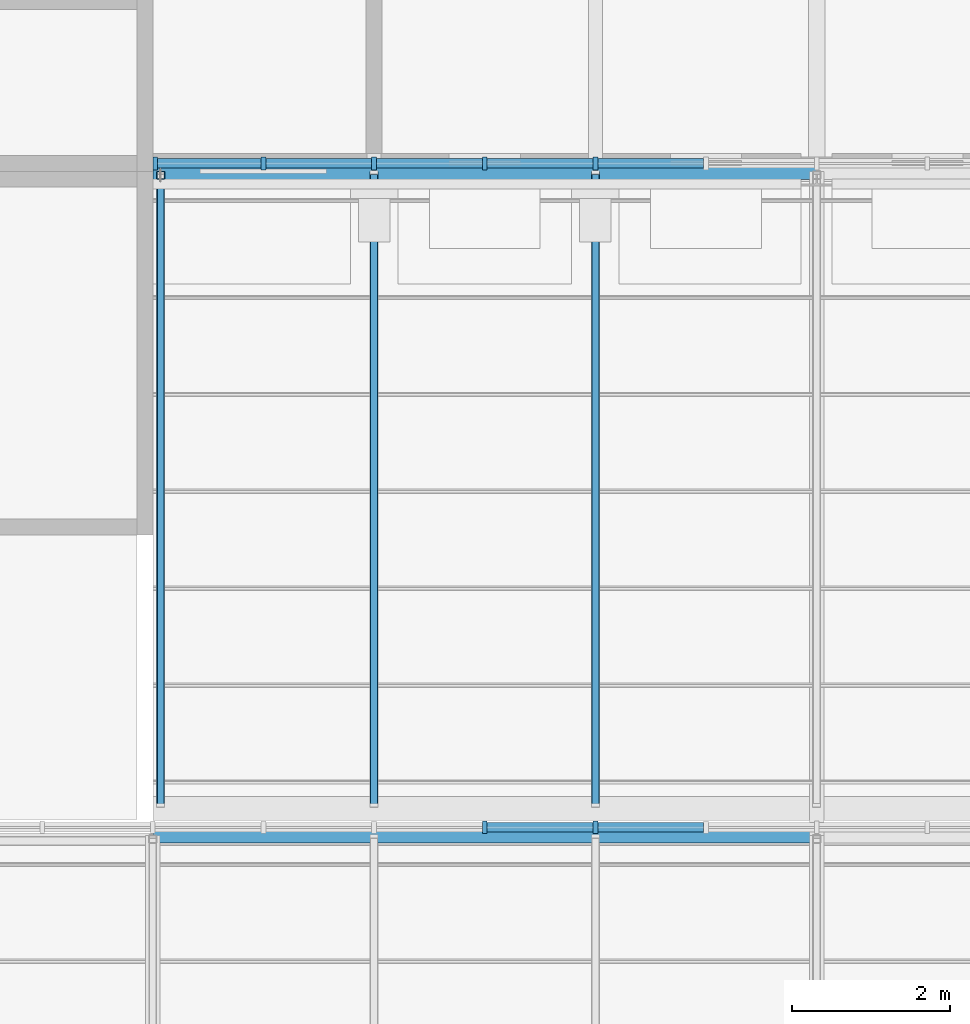
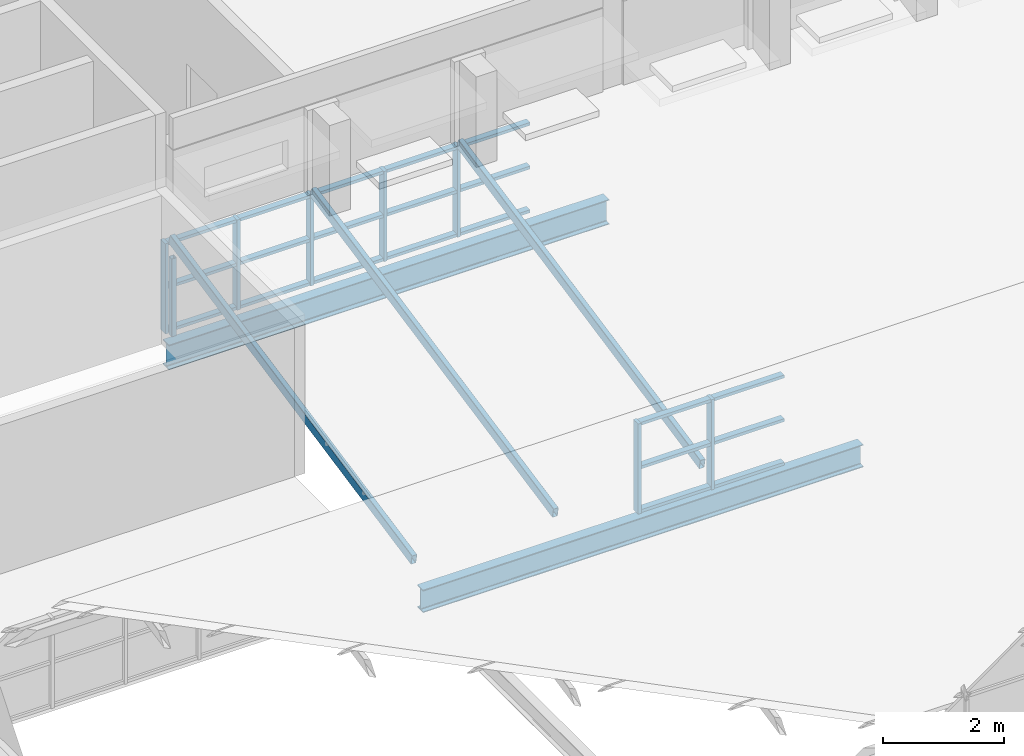
# One storey, part 30 of 121: 32 members, 2 beams, 2 elements without a shape of their own.
"""IFC4 building model written with IfcOpenShell, lengths in metres."""

from ifc_helpers import new_model, si_unit, direction, frame, origin, origin_2d, place, context, subcontext, project, spatial, rectangle, hollow_rectangle, i_section, extrude, material, layer, layer_set, material_profile, profile_set, type_object, element, aggregate, save


model = new_model("IFC4")

# Units and contexts
model_context = context("Model", 3, precision=1e-05, world=origin(), true_north=direction((0.0, 1.0)))
body_context = subcontext(model_context, "Body", "Model", "MODEL_VIEW")
ifc_project = project(units=[si_unit("LENGTHUNIT", "METRE"), si_unit("AREAUNIT", "SQUARE_METRE"), si_unit("VOLUMEUNIT", "CUBIC_METRE"), si_unit("PLANEANGLEUNIT", "RADIAN"), si_unit("MASSUNIT", "GRAM", prefix="KILO")], contexts=[model_context])

# Site, building, storey
site_placement = place(None, origin())
site = spatial("IfcSite", under=ifc_project, at=site_placement, CompositionType="ELEMENT")
building_placement = place(site_placement, origin())
building = spatial("IfcBuilding", under=site, at=building_placement, Name="Ardhachandra Cancer Care Centre", CompositionType="ELEMENT")
storey_placement = place(building_placement, frame((0.0, 0.0, 9.0)))
storey = spatial("IfcBuildingStorey", under=building, at=storey_placement, Name="L02", CompositionType="ELEMENT", Elevation=9.0)

# Beams
ifc_material_1 = material(Name="Steel E350 (IS 2062)", Category="steel")
ifc_material_profile_1 = material_profile(ifc_material_1, i_section(OverallWidth=0.19189453125, OverallDepth=0.4560546875, WebThickness=0.010986328125, FlangeThickness=0.017578125, FilletRadius=0.02099609375, at=origin_2d()), Name="NPB 450x190x92.36")
ifc_profile_set_1 = profile_set([ifc_material_profile_1], Name="Steel E350 (IS 2062)")
beam_type_1 = type_object("IfcBeamType", Name="Beam NPB 450x190x92.36", PredefinedType="BEAM", material=ifc_profile_set_1)
beam_1_placement = place(storey_placement, frame((19.199951171875, 63.0, -0.22802734375), z_axis=(1.0, 0.0, 0.0), x_axis=(0.0, 1.0, 0.0)))
element("IfcBeam", 1, at=beam_1_placement, inside=storey, type_object=beam_type_1, Name="Roof girder G2-G3", PredefinedType="BEAM", context=body_context, shape_type="SweptSolid", body=[
    extrude(i_section(OverallWidth=0.19189453125, OverallDepth=0.4560546875, WebThickness=0.010986328125, FlangeThickness=0.017578125, FilletRadius=0.02099609375, at=origin_2d()), origin(), (0.0, 0.0, 1.0), 8.400146484375),
])
ifc_material_2 = material(Name="Steel E350 (IS 2062)", Category="steel")
ifc_material_profile_2 = material_profile(ifc_material_2, i_section(OverallWidth=0.199951171875, OverallDepth=0.5, WebThickness=0.01025390625, FlangeThickness=0.01611328125, FilletRadius=0.02099609375, at=origin_2d()), Name="NPB 500x200x90.68")
ifc_profile_set_2 = profile_set([ifc_material_profile_2], Name="Steel E350 (IS 2062)")
beam_type_2 = type_object("IfcBeamType", Name="Beam NPB 500x200x90.68", PredefinedType="BEAM", material=ifc_profile_set_2)
beam_2_placement = place(storey_placement, frame((19.199951171875, 71.39990234375, -0.39990234375), z_axis=(1.0, 0.0, 0.0), x_axis=(0.0, 1.0, 0.0)))
element("IfcBeam", 2, at=beam_2_placement, inside=storey, type_object=beam_type_2, Name="Edge girder H2-H3", PredefinedType="BEAM", context=body_context, shape_type="SweptSolid", body=[
    extrude(i_section(OverallWidth=0.199951171875, OverallDepth=0.5, WebThickness=0.01025390625, FlangeThickness=0.01611328125, FilletRadius=0.02099609375, at=origin_2d()), origin(), (0.0, 0.0, 1.0), 8.400146484375),
])

# Curtain wall, members
ifc_material_3 = material(Name="Aluminium extrusion", Category="aluminium")
ifc_layer = layer(ifc_material_3, 0.14990234375)
ifc_layer_set = layer_set([ifc_layer], Name="Aluminium extrusion")
curtain_wall_type = type_object("IfcCurtainWallType", Name="Curtain wall run", PredefinedType="NOTDEFINED", material=ifc_layer_set)
curtain_wall_1_placement = place(storey_placement, origin())
curtain_wall_1 = element("IfcCurtainWall", 3, at=curtain_wall_1_placement, inside=storey, type_object=curtain_wall_type, Name="Curtain wall L02 n/0010800_0063100", PredefinedType="NOTDEFINED")
ifc_material_4 = material(Name="Aluminium extrusion", Category="aluminium")
ifc_material_profile_3 = material_profile(ifc_material_4, rectangle(XDim=0.159912109375, YDim=0.06005859375, at=origin_2d()), Name="Curtain wall mullion 60 x 160")
ifc_profile_set_3 = profile_set([ifc_material_profile_3], Name="Aluminium extrusion")
member_type_1 = type_object("IfcMemberType", Name="Curtain wall mullion 60 x 160", PredefinedType="MULLION", material=ifc_profile_set_3)
member_1_placement = place(storey_placement, frame((23.39990234375, 63.10009765625, 0.0), z_axis=(0.0, 0.0, 1.0), x_axis=(0.0, 1.0, 0.0)))
member_1 = element("IfcMember", 4, at=member_1_placement, type_object=member_type_1, Name="CW mullion 10", PredefinedType="MULLION", context=body_context, shape_type="SweptSolid", body=[
    extrude(rectangle(XDim=0.159912109375, YDim=0.06005859375, at=origin_2d()), origin(), (0.0, 0.0, 1.0), 1.820068359375),
])
member_2_placement = place(storey_placement, frame((24.800048828125, 63.10009765625, 0.0), z_axis=(0.0, 0.0, 1.0), x_axis=(0.0, 1.0, 0.0)))
member_2 = element("IfcMember", 5, at=member_2_placement, type_object=member_type_1, Name="CW mullion 11", PredefinedType="MULLION", context=body_context, shape_type="SweptSolid", body=[
    extrude(rectangle(XDim=0.159912109375, YDim=0.06005859375, at=origin_2d()), origin(), (0.0, 0.0, 1.0), 1.820068359375),
])

curtain_wall_2_placement = place(storey_placement, origin())
curtain_wall_2 = element("IfcCurtainWall", 6, at=curtain_wall_2_placement, inside=storey, type_object=curtain_wall_type, Name="Curtain wall L02 n/0019200_0071500", PredefinedType="NOTDEFINED")
member_3_placement = place(storey_placement, frame((19.22998046875, 71.5, 0.0), z_axis=(0.0, 0.0, 1.0), x_axis=(0.0, 1.0, 0.0)))
member_3 = element("IfcMember", 7, at=member_3_placement, type_object=member_type_1, Name="CW mullion 1", PredefinedType="MULLION", context=body_context, shape_type="SweptSolid", body=[
    extrude(rectangle(XDim=0.159912109375, YDim=0.06005859375, at=origin_2d()), origin(), (0.0, 0.0, 1.0), 1.820068359375),
])
member_4_placement = place(storey_placement, frame((20.60009765625, 71.5, 0.0), z_axis=(0.0, 0.0, 1.0), x_axis=(0.0, 1.0, 0.0)))
member_4 = element("IfcMember", 8, at=member_4_placement, type_object=member_type_1, Name="CW mullion 2", PredefinedType="MULLION", context=body_context, shape_type="SweptSolid", body=[
    extrude(rectangle(XDim=0.159912109375, YDim=0.06005859375, at=origin_2d()), origin(), (0.0, 0.0, 1.0), 1.820068359375),
])
member_5_placement = place(storey_placement, frame((22.0, 71.5, 0.0), z_axis=(0.0, 0.0, 1.0), x_axis=(0.0, 1.0, 0.0)))
member_5 = element("IfcMember", 9, at=member_5_placement, type_object=member_type_1, Name="CW mullion 3", PredefinedType="MULLION", context=body_context, shape_type="SweptSolid", body=[
    extrude(rectangle(XDim=0.159912109375, YDim=0.06005859375, at=origin_2d()), origin(), (0.0, 0.0, 1.0), 1.820068359375),
])
member_6_placement = place(storey_placement, frame((23.39990234375, 71.5, 0.0), z_axis=(0.0, 0.0, 1.0), x_axis=(0.0, 1.0, 0.0)))
member_6 = element("IfcMember", 10, at=member_6_placement, type_object=member_type_1, Name="CW mullion 4", PredefinedType="MULLION", context=body_context, shape_type="SweptSolid", body=[
    extrude(rectangle(XDim=0.159912109375, YDim=0.06005859375, at=origin_2d()), origin(), (0.0, 0.0, 1.0), 1.820068359375),
])
member_7_placement = place(storey_placement, frame((24.800048828125, 71.5, 0.0), z_axis=(0.0, 0.0, 1.0), x_axis=(0.0, 1.0, 0.0)))
member_7 = element("IfcMember", 11, at=member_7_placement, type_object=member_type_1, Name="CW mullion 5", PredefinedType="MULLION", context=body_context, shape_type="SweptSolid", body=[
    extrude(rectangle(XDim=0.159912109375, YDim=0.06005859375, at=origin_2d()), origin(), (0.0, 0.0, 1.0), 1.820068359375),
])

# Member
ifc_material_5 = material(Name="Aluminium extrusion", Category="aluminium")
ifc_material_profile_4 = material_profile(ifc_material_5, rectangle(XDim=0.1201171875, YDim=0.06005859375, at=origin_2d()), Name="Curtain wall transom 60 x 120")
ifc_profile_set_4 = profile_set([ifc_material_profile_4], Name="Aluminium extrusion")
member_type_2 = type_object("IfcMemberType", Name="Curtain wall transom 60 x 120", PredefinedType="USERDEFINED", material=ifc_profile_set_4)
member_8_placement = place(storey_placement, frame((23.429931640625, 63.10009765625, 0.030029296875), z_axis=(1.0, 0.0, 0.0), x_axis=(0.0, 1.0, 0.0)))
member_8 = element("IfcMember", 12, at=member_8_placement, type_object=member_type_2, Name="CW transom 10.1", ObjectType="TRANSOM", PredefinedType="USERDEFINED", context=body_context, shape_type="SweptSolid", body=[
    extrude(rectangle(XDim=0.1201171875, YDim=0.06005859375, at=origin_2d()), origin(), (0.0, 0.0, 1.0), 1.340087890625),
])

member_9_placement = place(storey_placement, frame((23.429931640625, 63.10009765625, 0.909912109375), z_axis=(1.0, 0.0, 0.0), x_axis=(0.0, 1.0, 0.0)))
member_9 = element("IfcMember", 13, at=member_9_placement, type_object=member_type_2, Name="CW transom 10.2", ObjectType="TRANSOM", PredefinedType="USERDEFINED", context=body_context, shape_type="SweptSolid", body=[
    extrude(rectangle(XDim=0.1201171875, YDim=0.06005859375, at=origin_2d()), origin(), (0.0, 0.0, 1.0), 1.340087890625),
])

member_10_placement = place(storey_placement, frame((23.429931640625, 63.10009765625, 1.7900390625), z_axis=(1.0, 0.0, 0.0), x_axis=(0.0, 1.0, 0.0)))
member_10 = element("IfcMember", 14, at=member_10_placement, type_object=member_type_2, Name="CW transom 10.3", ObjectType="TRANSOM", PredefinedType="USERDEFINED", context=body_context, shape_type="SweptSolid", body=[
    extrude(rectangle(XDim=0.1201171875, YDim=0.06005859375, at=origin_2d()), origin(), (0.0, 0.0, 1.0), 1.340087890625),
])

member_11_placement = place(storey_placement, frame((24.830078125, 63.10009765625, 0.030029296875), z_axis=(1.0, 0.0, 0.0), x_axis=(0.0, 1.0, 0.0)))
member_11 = element("IfcMember", 15, at=member_11_placement, type_object=member_type_2, Name="CW transom 11.1", ObjectType="TRANSOM", PredefinedType="USERDEFINED", context=body_context, shape_type="SweptSolid", body=[
    extrude(rectangle(XDim=0.1201171875, YDim=0.06005859375, at=origin_2d()), origin(), (0.0, 0.0, 1.0), 1.33984375),
])

member_12_placement = place(storey_placement, frame((24.830078125, 63.10009765625, 0.909912109375), z_axis=(1.0, 0.0, 0.0), x_axis=(0.0, 1.0, 0.0)))
member_12 = element("IfcMember", 16, at=member_12_placement, type_object=member_type_2, Name="CW transom 11.2", ObjectType="TRANSOM", PredefinedType="USERDEFINED", context=body_context, shape_type="SweptSolid", body=[
    extrude(rectangle(XDim=0.1201171875, YDim=0.06005859375, at=origin_2d()), origin(), (0.0, 0.0, 1.0), 1.33984375),
])

member_13_placement = place(storey_placement, frame((24.830078125, 63.10009765625, 1.7900390625), z_axis=(1.0, 0.0, 0.0), x_axis=(0.0, 1.0, 0.0)))
member_13 = element("IfcMember", 17, at=member_13_placement, type_object=member_type_2, Name="CW transom 11.3", ObjectType="TRANSOM", PredefinedType="USERDEFINED", context=body_context, shape_type="SweptSolid", body=[
    extrude(rectangle(XDim=0.1201171875, YDim=0.06005859375, at=origin_2d()), origin(), (0.0, 0.0, 1.0), 1.33984375),
])

aggregate(curtain_wall_1, [member_1, member_2, member_8, member_9, member_10, member_11, member_12, member_13])

member_14_placement = place(storey_placement, frame((19.260009765625, 71.5, 0.030029296875), z_axis=(1.0, 0.0, 0.0), x_axis=(0.0, 1.0, 0.0)))
member_14 = element("IfcMember", 18, at=member_14_placement, type_object=member_type_2, Name="CW transom 1.1", ObjectType="TRANSOM", PredefinedType="USERDEFINED", context=body_context, shape_type="SweptSolid", body=[
    extrude(rectangle(XDim=0.1201171875, YDim=0.06005859375, at=origin_2d()), origin(), (0.0, 0.0, 1.0), 1.31005859375),
])

member_15_placement = place(storey_placement, frame((19.260009765625, 71.5, 0.909912109375), z_axis=(1.0, 0.0, 0.0), x_axis=(0.0, 1.0, 0.0)))
member_15 = element("IfcMember", 19, at=member_15_placement, type_object=member_type_2, Name="CW transom 1.2", ObjectType="TRANSOM", PredefinedType="USERDEFINED", context=body_context, shape_type="SweptSolid", body=[
    extrude(rectangle(XDim=0.1201171875, YDim=0.06005859375, at=origin_2d()), origin(), (0.0, 0.0, 1.0), 1.31005859375),
])

member_16_placement = place(storey_placement, frame((19.260009765625, 71.5, 1.7900390625), z_axis=(1.0, 0.0, 0.0), x_axis=(0.0, 1.0, 0.0)))
member_16 = element("IfcMember", 20, at=member_16_placement, type_object=member_type_2, Name="CW transom 1.3", ObjectType="TRANSOM", PredefinedType="USERDEFINED", context=body_context, shape_type="SweptSolid", body=[
    extrude(rectangle(XDim=0.1201171875, YDim=0.06005859375, at=origin_2d()), origin(), (0.0, 0.0, 1.0), 1.31005859375),
])

member_17_placement = place(storey_placement, frame((20.6298828125, 71.5, 0.030029296875), z_axis=(1.0, 0.0, 0.0), x_axis=(0.0, 1.0, 0.0)))
member_17 = element("IfcMember", 21, at=member_17_placement, type_object=member_type_2, Name="CW transom 2.1", ObjectType="TRANSOM", PredefinedType="USERDEFINED", context=body_context, shape_type="SweptSolid", body=[
    extrude(rectangle(XDim=0.1201171875, YDim=0.06005859375, at=origin_2d()), origin(), (0.0, 0.0, 1.0), 1.340087890625),
])

member_18_placement = place(storey_placement, frame((20.6298828125, 71.5, 0.909912109375), z_axis=(1.0, 0.0, 0.0), x_axis=(0.0, 1.0, 0.0)))
member_18 = element("IfcMember", 22, at=member_18_placement, type_object=member_type_2, Name="CW transom 2.2", ObjectType="TRANSOM", PredefinedType="USERDEFINED", context=body_context, shape_type="SweptSolid", body=[
    extrude(rectangle(XDim=0.1201171875, YDim=0.06005859375, at=origin_2d()), origin(), (0.0, 0.0, 1.0), 1.340087890625),
])

member_19_placement = place(storey_placement, frame((20.6298828125, 71.5, 1.7900390625), z_axis=(1.0, 0.0, 0.0), x_axis=(0.0, 1.0, 0.0)))
member_19 = element("IfcMember", 23, at=member_19_placement, type_object=member_type_2, Name="CW transom 2.3", ObjectType="TRANSOM", PredefinedType="USERDEFINED", context=body_context, shape_type="SweptSolid", body=[
    extrude(rectangle(XDim=0.1201171875, YDim=0.06005859375, at=origin_2d()), origin(), (0.0, 0.0, 1.0), 1.340087890625),
])

member_20_placement = place(storey_placement, frame((22.030029296875, 71.5, 0.030029296875), z_axis=(1.0, 0.0, 0.0), x_axis=(0.0, 1.0, 0.0)))
member_20 = element("IfcMember", 24, at=member_20_placement, type_object=member_type_2, Name="CW transom 3.1", ObjectType="TRANSOM", PredefinedType="USERDEFINED", context=body_context, shape_type="SweptSolid", body=[
    extrude(rectangle(XDim=0.1201171875, YDim=0.06005859375, at=origin_2d()), origin(), (0.0, 0.0, 1.0), 1.340087890625),
])

member_21_placement = place(storey_placement, frame((22.030029296875, 71.5, 0.909912109375), z_axis=(1.0, 0.0, 0.0), x_axis=(0.0, 1.0, 0.0)))
member_21 = element("IfcMember", 25, at=member_21_placement, type_object=member_type_2, Name="CW transom 3.2", ObjectType="TRANSOM", PredefinedType="USERDEFINED", context=body_context, shape_type="SweptSolid", body=[
    extrude(rectangle(XDim=0.1201171875, YDim=0.06005859375, at=origin_2d()), origin(), (0.0, 0.0, 1.0), 1.340087890625),
])

member_22_placement = place(storey_placement, frame((22.030029296875, 71.5, 1.7900390625), z_axis=(1.0, 0.0, 0.0), x_axis=(0.0, 1.0, 0.0)))
member_22 = element("IfcMember", 26, at=member_22_placement, type_object=member_type_2, Name="CW transom 3.3", ObjectType="TRANSOM", PredefinedType="USERDEFINED", context=body_context, shape_type="SweptSolid", body=[
    extrude(rectangle(XDim=0.1201171875, YDim=0.06005859375, at=origin_2d()), origin(), (0.0, 0.0, 1.0), 1.340087890625),
])

member_23_placement = place(storey_placement, frame((23.429931640625, 71.5, 0.030029296875), z_axis=(1.0, 0.0, 0.0), x_axis=(0.0, 1.0, 0.0)))
member_23 = element("IfcMember", 27, at=member_23_placement, type_object=member_type_2, Name="CW transom 4.1", ObjectType="TRANSOM", PredefinedType="USERDEFINED", context=body_context, shape_type="SweptSolid", body=[
    extrude(rectangle(XDim=0.1201171875, YDim=0.06005859375, at=origin_2d()), origin(), (0.0, 0.0, 1.0), 1.340087890625),
])

member_24_placement = place(storey_placement, frame((23.429931640625, 71.5, 0.909912109375), z_axis=(1.0, 0.0, 0.0), x_axis=(0.0, 1.0, 0.0)))
member_24 = element("IfcMember", 28, at=member_24_placement, type_object=member_type_2, Name="CW transom 4.2", ObjectType="TRANSOM", PredefinedType="USERDEFINED", context=body_context, shape_type="SweptSolid", body=[
    extrude(rectangle(XDim=0.1201171875, YDim=0.06005859375, at=origin_2d()), origin(), (0.0, 0.0, 1.0), 1.340087890625),
])

member_25_placement = place(storey_placement, frame((23.429931640625, 71.5, 1.7900390625), z_axis=(1.0, 0.0, 0.0), x_axis=(0.0, 1.0, 0.0)))
member_25 = element("IfcMember", 29, at=member_25_placement, type_object=member_type_2, Name="CW transom 4.3", ObjectType="TRANSOM", PredefinedType="USERDEFINED", context=body_context, shape_type="SweptSolid", body=[
    extrude(rectangle(XDim=0.1201171875, YDim=0.06005859375, at=origin_2d()), origin(), (0.0, 0.0, 1.0), 1.340087890625),
])

member_26_placement = place(storey_placement, frame((24.830078125, 71.5, 0.030029296875), z_axis=(1.0, 0.0, 0.0), x_axis=(0.0, 1.0, 0.0)))
member_26 = element("IfcMember", 30, at=member_26_placement, type_object=member_type_2, Name="CW transom 5.1", ObjectType="TRANSOM", PredefinedType="USERDEFINED", context=body_context, shape_type="SweptSolid", body=[
    extrude(rectangle(XDim=0.1201171875, YDim=0.06005859375, at=origin_2d()), origin(), (0.0, 0.0, 1.0), 1.33984375),
])

member_27_placement = place(storey_placement, frame((24.830078125, 71.5, 0.909912109375), z_axis=(1.0, 0.0, 0.0), x_axis=(0.0, 1.0, 0.0)))
member_27 = element("IfcMember", 31, at=member_27_placement, type_object=member_type_2, Name="CW transom 5.2", ObjectType="TRANSOM", PredefinedType="USERDEFINED", context=body_context, shape_type="SweptSolid", body=[
    extrude(rectangle(XDim=0.1201171875, YDim=0.06005859375, at=origin_2d()), origin(), (0.0, 0.0, 1.0), 1.33984375),
])

member_28_placement = place(storey_placement, frame((24.830078125, 71.5, 1.7900390625), z_axis=(1.0, 0.0, 0.0), x_axis=(0.0, 1.0, 0.0)))
member_28 = element("IfcMember", 32, at=member_28_placement, type_object=member_type_2, Name="CW transom 5.3", ObjectType="TRANSOM", PredefinedType="USERDEFINED", context=body_context, shape_type="SweptSolid", body=[
    extrude(rectangle(XDim=0.1201171875, YDim=0.06005859375, at=origin_2d()), origin(), (0.0, 0.0, 1.0), 1.33984375),
])

aggregate(curtain_wall_2, [member_3, member_4, member_5, member_6, member_7, member_14, member_15, member_16, member_17, member_18, member_19, member_20, member_21, member_22, member_23, member_24, member_25, member_26, member_27, member_28])

# Members
ifc_material_6 = material(Name="Steel E350 (IS 2062)", Category="steel")
ifc_material_profile_5 = material_profile(ifc_material_6, hollow_rectangle(XDim=0.10009765625, YDim=0.199951171875, WallThickness=0.006103515625, InnerFilletRadius=0.006103515625, OuterFilletRadius=0.011962890625, at=origin_2d()), Name="RHS 200x100x6.0")
ifc_profile_set_5 = profile_set([ifc_material_profile_5], Name="Steel E350 (IS 2062)")
member_type_3 = type_object("IfcMemberType", Name="Roof rafter RHS 200x100x6.0", PredefinedType="RAFTER", material=ifc_profile_set_5)
for number, where, z_axis, x_axis, name in (
    (33, (19.300048828125, 63.380126953125, 0.298095703125), (0.0, 0.980109665583, 0.198456653782), (-1.0, 0.0, 0.0), "Rafter T5a.1"),
    (34, (22.0, 63.380126953125, 0.298095703125), (0.0, 0.980109665583, 0.198456653782), (-1.0, 0.0, 0.0), "Rafter T5a.2"),
    (35, (24.800048828125, 63.380126953125, 0.298095703125), (0.0, 0.980109665583, 0.198456653782), (-1.0, 0.0, 0.0), "Rafter T5a.3"),
):
    element("IfcMember", number, at=place(storey_placement, frame(where, z_axis=z_axis, x_axis=x_axis)), inside=storey, type_object=member_type_3, Name=name, PredefinedType="RAFTER", context=body_context, shape_type="SweptSolid", body=[
        extrude(hollow_rectangle(XDim=0.10009765625, YDim=0.199951171875, WallThickness=0.006103515625, InnerFilletRadius=0.006103515625, OuterFilletRadius=0.011962890625, at=origin_2d()), origin(), (0.0, 0.0, 1.0), 8.162353515625),
    ])
ifc_material_7 = material(Name="Steel E350 (IS 2062)", Category="steel")
ifc_material_profile_6 = material_profile(ifc_material_7, hollow_rectangle(XDim=0.10009765625, YDim=0.10009765625, WallThickness=0.0048828125, InnerFilletRadius=0.0048828125, OuterFilletRadius=0.010009765625, at=origin_2d()), Name="SHS 100x100x5.0")
ifc_profile_set_6 = profile_set([ifc_material_profile_6], Name="Steel E350 (IS 2062)")
member_type_4 = type_object("IfcMemberType", Name="Sawtooth ridge post SHS 100x100x5.0", PredefinedType="POST", material=ifc_profile_set_6)
member_29_placement = place(storey_placement, frame((19.300048828125, 71.35009765625, 0.0), z_axis=(0.0, 0.0, 1.0), x_axis=(1.0, 0.0, 0.0)))
element("IfcMember", 36, at=member_29_placement, inside=storey, type_object=member_type_4, Name="Ridge post T5a.1", PredefinedType="POST", context=body_context, shape_type="SweptSolid", body=[
    extrude(hollow_rectangle(XDim=0.10009765625, YDim=0.10009765625, WallThickness=0.0048828125, InnerFilletRadius=0.0048828125, OuterFilletRadius=0.010009765625, at=origin_2d()), origin(), (0.0, 0.0, 1.0), 1.5673828125),
])

save(model, "model.ifc")
